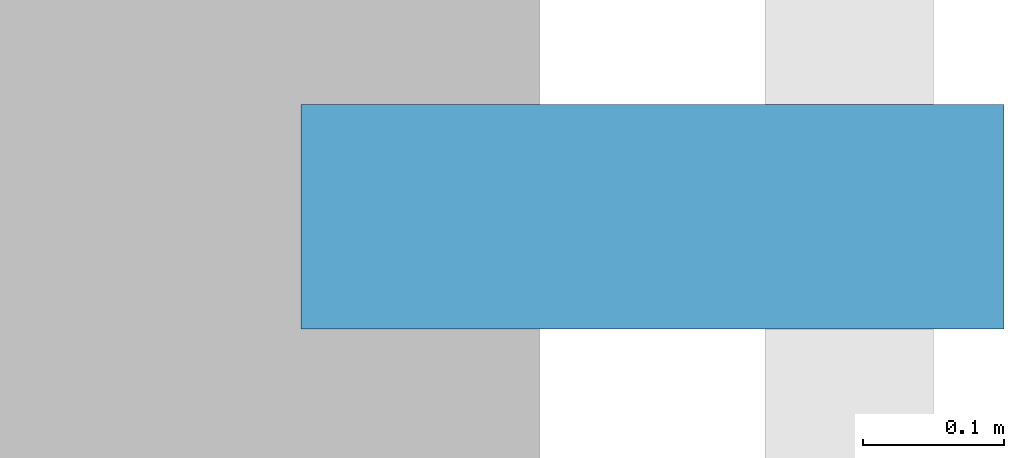
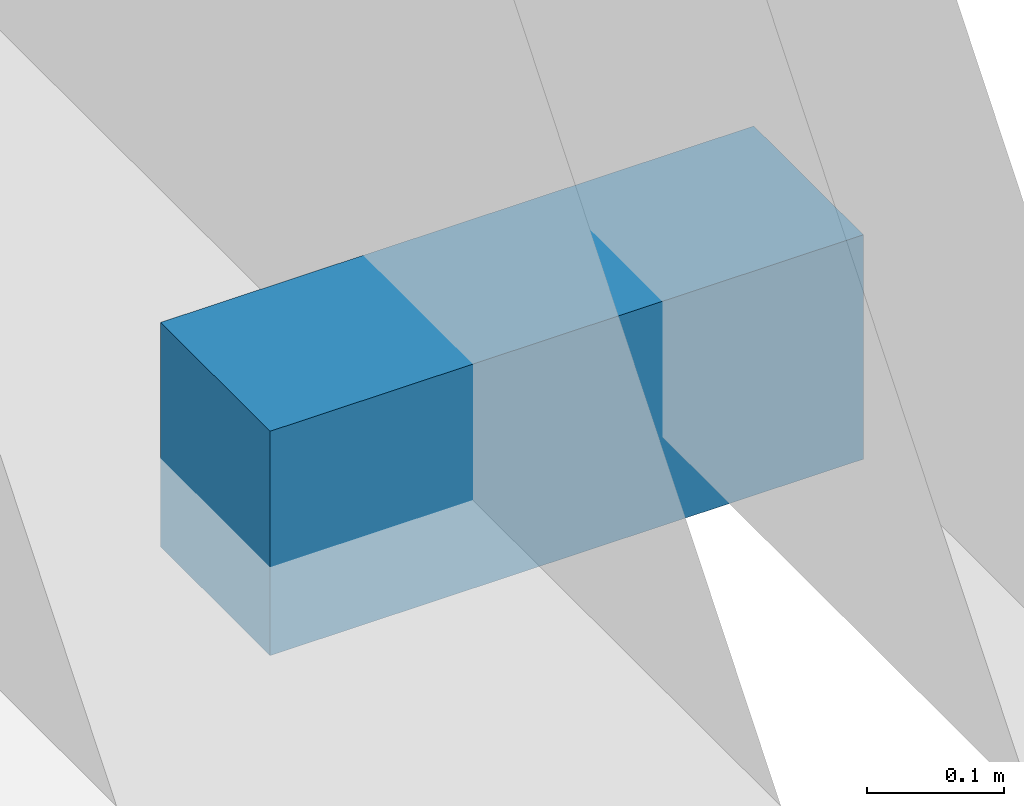
# One storey, part 37 of 40: 1 discrete accessory.
"""IFC4 building model written with IfcOpenShell, lengths in metres."""

from ifc_helpers import new_model, si_unit, direction, frame, origin, origin_2d, place, context, subcontext, project, spatial, rectangle, extrude, material, type_object, element, save


model = new_model("IFC4")

# Units and contexts
model_context = context("Model", 3, precision=1e-05, world=origin(), true_north=direction((0.0, 1.0)))
body_context = subcontext(model_context, "Body", "Model", "MODEL_VIEW")
ifc_project = project(units=[si_unit("LENGTHUNIT", "METRE"), si_unit("AREAUNIT", "SQUARE_METRE"), si_unit("VOLUMEUNIT", "CUBIC_METRE"), si_unit("PLANEANGLEUNIT", "RADIAN"), si_unit("MASSUNIT", "GRAM", prefix="KILO")], contexts=[model_context])

# Site, building, storey
site_placement = place(None, origin())
site = spatial("IfcSite", under=ifc_project, at=site_placement, CompositionType="ELEMENT")
building_placement = place(site_placement, origin())
building = spatial("IfcBuilding", under=site, at=building_placement, Name="Narakoshi Arena Tower", CompositionType="ELEMENT")
storey_placement = place(building_placement, frame((0.0, 0.0, 21.60009765625)))
storey = spatial("IfcBuildingStorey", under=building, at=storey_placement, Name="L05", CompositionType="ELEMENT", Elevation=21.60009765625)

# Discrete accessory
ifc_material = material(Name="Structural steel S355J2", Category="steel")
discrete_accessory_type = type_object("IfcDiscreteAccessoryType", Name="ACC-BRK-SCR", PredefinedType="BRACKET", material=ifc_material)
discrete_accessory_placement = place(storey_placement, frame((126.080078125, 78.0, -0.080078125), z_axis=(0.0, 0.0, 1.0), x_axis=(0.0, 1.0, 0.0)))
element("IfcDiscreteAccessory", 1, at=discrete_accessory_placement, inside=storey, type_object=discrete_accessory_type, Name="L05 Solar Screen Support Bracket SHD-L05-LVR-E4", PredefinedType="BRACKET", context=body_context, shape_type="SweptSolid", body=[
    extrude(rectangle(XDim=0.159912109375, YDim=0.5, at=origin_2d()), origin(), (0.0, 0.0, 1.0), 0.199951171875),
])

save(model, "model.ifc")
